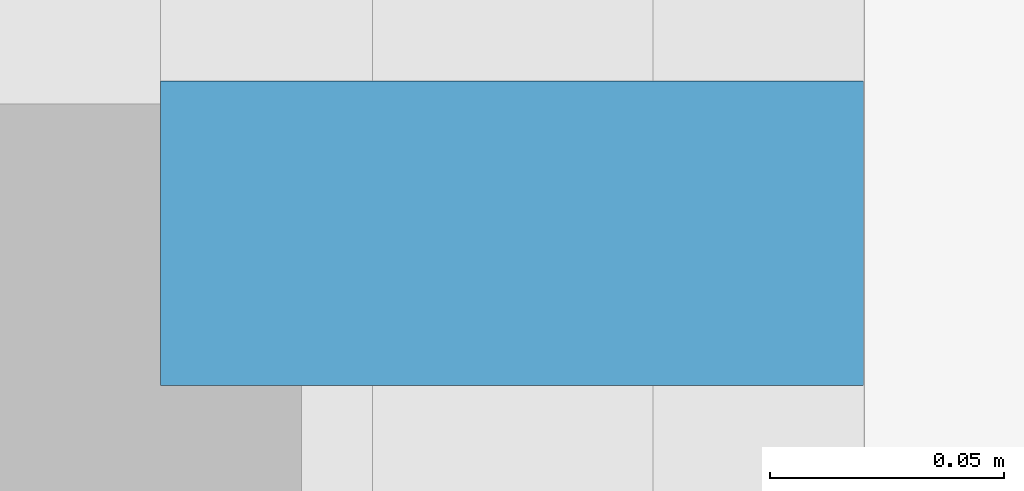
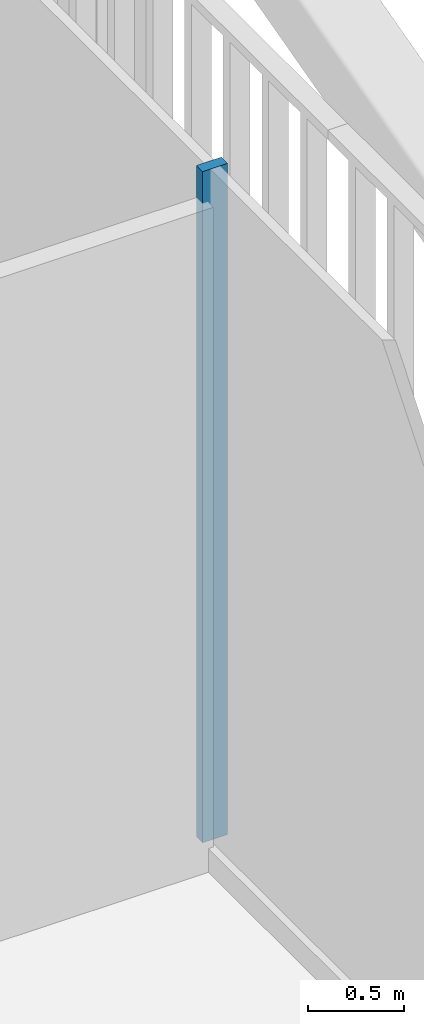
# One storey, part 10 of 21: 1 member, 1 element without a shape of its own.
"""IFC4 building model written with IfcOpenShell, lengths in metres."""

from ifc_helpers import new_model, si_unit, direction, frame, origin, origin_2d, place, context, subcontext, project, spatial, rectangle, extrude, material, layer, layer_set, material_profile, profile_set, type_object, element, aggregate, save


model = new_model("IFC4")

# Units and contexts
model_context = context("Model", 3, precision=1e-05, world=origin(), true_north=direction((0.0, 1.0)))
body_context = subcontext(model_context, "Body", "Model", "MODEL_VIEW")
ifc_project = project(units=[si_unit("LENGTHUNIT", "METRE"), si_unit("AREAUNIT", "SQUARE_METRE"), si_unit("VOLUMEUNIT", "CUBIC_METRE"), si_unit("PLANEANGLEUNIT", "RADIAN"), si_unit("MASSUNIT", "GRAM", prefix="KILO")], contexts=[model_context])

# Site, building, storey
site_placement = place(None, origin())
site = spatial("IfcSite", under=ifc_project, at=site_placement, CompositionType="ELEMENT")
building_placement = place(site_placement, origin())
building = spatial("IfcBuilding", under=site, at=building_placement, Name="Millrace Tower", CompositionType="ELEMENT")
storey_placement = place(building_placement, frame((0.0, 0.0, 90.800048828125)))
storey = spatial("IfcBuildingStorey", under=building, at=storey_placement, Name="L20", CompositionType="ELEMENT", Elevation=90.800048828125)

# Curtain wall, member
ifc_material_1 = material(Name="Aluminium and glass", Category="aluminium")
ifc_layer = layer(ifc_material_1, 0.14990234375)
ifc_layer_set = layer_set([ifc_layer], Name="Aluminium and glass")
curtain_wall_type = type_object("IfcCurtainWallType", Name="CW-3 telecom floor curtain wall", PredefinedType="NOTDEFINED", material=ifc_layer_set)
curtain_wall_placement = place(storey_placement, origin())
curtain_wall = element("IfcCurtainWall", 1, at=curtain_wall_placement, inside=storey, type_object=curtain_wall_type, Name="Curtain wall B-F04 L20", PredefinedType="NOTDEFINED")
ifc_material_2 = material(Name="Aluminium", Category="aluminium")
ifc_material_profile = material_profile(ifc_material_2, rectangle(XDim=0.06494140625, YDim=0.14990234375, at=origin_2d()))
ifc_profile_set = profile_set([ifc_material_profile], Name="Aluminium")
member_type = type_object("IfcMemberType", Name="CW-3 telecom floor curtain wall mullion", PredefinedType="MULLION", material=ifc_profile_set)
member_placement = place(storey_placement, frame((28.27490234375, -2.66748046875, 0.14990234375), z_axis=(0.0, 0.0, 1.0), x_axis=(0.0, 1.0, 0.0)))
member = element("IfcMember", 2, at=member_placement, type_object=member_type, Name="CW3 mullion B-F04.6", PredefinedType="MULLION", context=body_context, shape_type="SweptSolid", body=[
    extrude(rectangle(XDim=0.06494140625, YDim=0.14990234375, at=origin_2d()), origin(), (0.0, 0.0, 1.0), 4.25),
])
aggregate(curtain_wall, [member])

save(model, "model.ifc")
